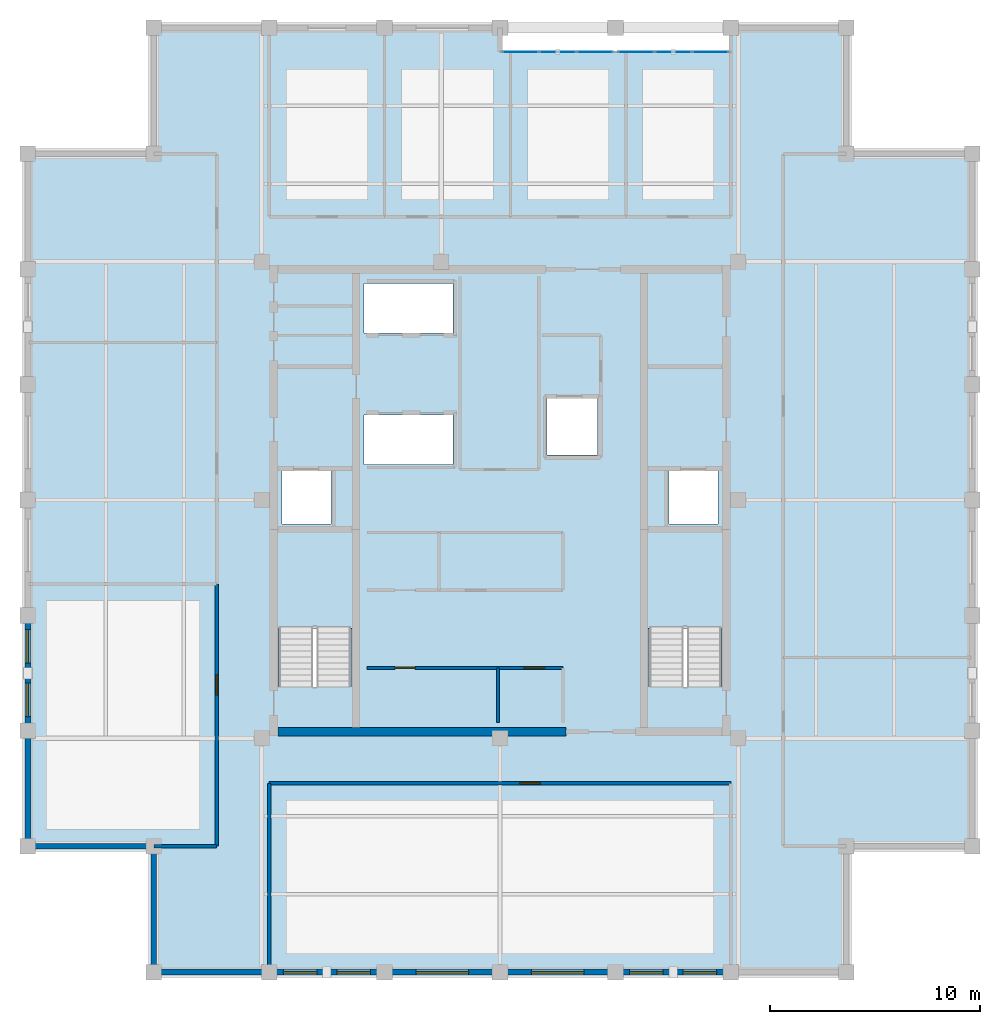
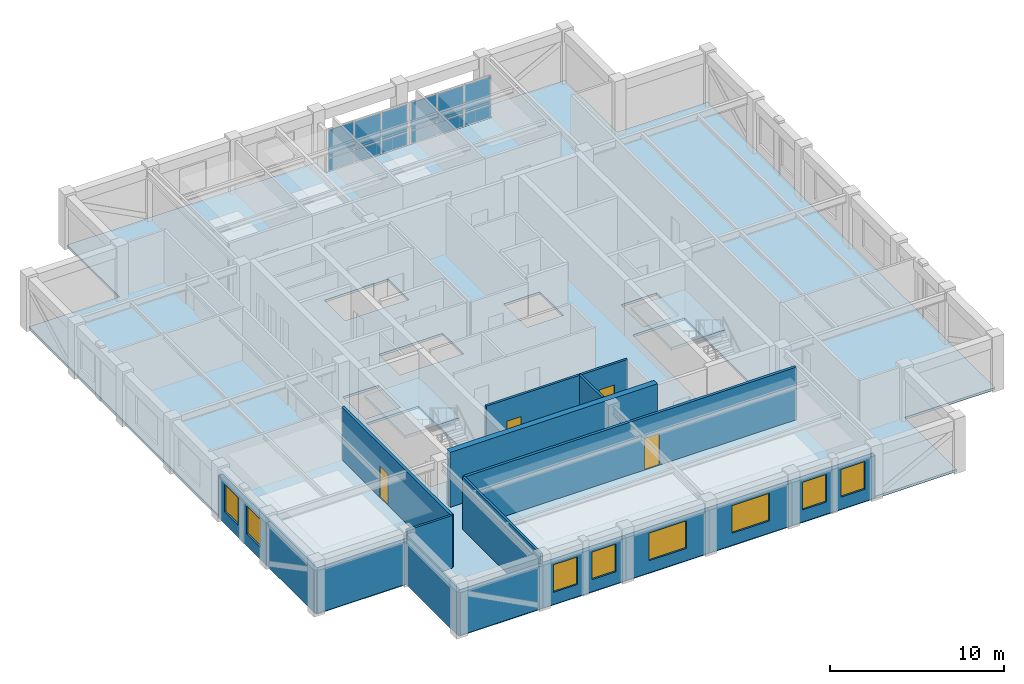
# One storey, part 3 of 9: 16 walls, 12 plates, 8 windows, 4 doors, 3 slabs, 12 openings, 4 elements without a shape of their own.
"""IFC4 building model written with IfcOpenShell, lengths in metres."""

from ifc_helpers import new_model, si_unit, direction, frame, frame_2d, origin, origin_2d, place, context, subcontext, project, spatial, polyline, rectangle, outline, extrude, material, layer, layer_set, type_object, element, fill, aggregate, save


model = new_model("IFC4")

# Units and contexts
model_context = context("Model", 3, precision=1e-05, world=origin(), true_north=direction((0.0, 1.0)))
body_context = subcontext(model_context, "Body", "Model", "MODEL_VIEW")
ifc_project = project(units=[si_unit("LENGTHUNIT", "METRE"), si_unit("AREAUNIT", "SQUARE_METRE"), si_unit("VOLUMEUNIT", "CUBIC_METRE"), si_unit("PLANEANGLEUNIT", "RADIAN"), si_unit("MASSUNIT", "GRAM", prefix="KILO")], contexts=[model_context])

# Site, building, storey
site_placement = place(None, origin())
site = spatial("IfcSite", under=ifc_project, at=site_placement, CompositionType="ELEMENT")
building_placement = place(site_placement, origin())
building = spatial("IfcBuilding", under=site, at=building_placement, Name="Nhamokura Convention Tower", CompositionType="ELEMENT")
storey_placement = place(building_placement, frame((0.0, 0.0, 273.699951171875)))
storey = spatial("IfcBuildingStorey", under=building, at=storey_placement, Name="L67", CompositionType="ELEMENT", Elevation=273.699951171875)

# Curtain wall, plates
ifc_material_1 = material(Name="Anodised bronze aluminium AA6063-T6", Category="aluminium")
ifc_layer_1 = layer(ifc_material_1, 0.155029296875)
ifc_layer_set_1 = layer_set([ifc_layer_1], Name="CWSystem_ScaleSlot_Zone3")
curtain_wall_type = type_object("IfcCurtainWallType", Name="CWSystem_ScaleSlot_Zone3", PredefinedType="NOTDEFINED", material=ifc_layer_set_1)
curtain_wall_1_placement = place(storey_placement, origin())
curtain_wall_1 = element("IfcCurtainWall", 1, at=curtain_wall_1_placement, inside=storey, type_object=curtain_wall_type, Name="L67 Curtain Wall ENV-L67-SLOT-N3", PredefinedType="NOTDEFINED")
ifc_material_2 = material(Name="Solar-control bronze low-E double glass", Category="glass")
ifc_layer_2 = layer(ifc_material_2, 0.0400390625)
ifc_layer_set_2 = layer_set([ifc_layer_2], Name="CWGlazedPanel_3")
plate_type = type_object("IfcPlateType", Name="CWGlazedPanel_3", PredefinedType="CURTAIN_PANEL", material=ifc_layer_set_2)
plate_1_placement = place(storey_placement, frame((32.972900390625, 53.35009765625, 0.06494140625), z_axis=(0.0, 0.0, 1.0), x_axis=(1.0, 0.0, 0.0)))
plate_1 = element("IfcPlate", 2, at=plate_1_placement, type_object=plate_type, Name="CW-05 panel 1.1", PredefinedType="CURTAIN_PANEL", context=body_context, shape_type="SweptSolid", body=[
    extrude(rectangle(XDim=1.69580078125, YDim=0.0400390625, at=origin_2d()), origin(), (0.0, 0.0, 1.0), 0.8525390625),
])
plate_2_placement = place(storey_placement, frame((32.972900390625, 53.35009765625, 0.982666015625), z_axis=(0.0, 0.0, 1.0), x_axis=(1.0, 0.0, 0.0)))
plate_2 = element("IfcPlate", 3, at=plate_2_placement, type_object=plate_type, Name="CW-05 panel 1.2", PredefinedType="CURTAIN_PANEL", context=body_context, shape_type="SweptSolid", body=[
    extrude(rectangle(XDim=1.69580078125, YDim=0.0400390625, at=origin_2d()), origin(), (0.0, 0.0, 1.0), 1.9375),
])
plate_3_placement = place(storey_placement, frame((34.75, 53.35009765625, 0.06494140625), z_axis=(0.0, 0.0, 1.0), x_axis=(1.0, 0.0, 0.0)))
plate_3 = element("IfcPlate", 4, at=plate_3_placement, type_object=plate_type, Name="CW-05 panel 2.1", PredefinedType="CURTAIN_PANEL", context=body_context, shape_type="SweptSolid", body=[
    extrude(rectangle(XDim=1.728271484375, YDim=0.0400390625, at=origin_2d()), origin(), (0.0, 0.0, 1.0), 0.8525390625),
])
plate_4_placement = place(storey_placement, frame((34.75, 53.35009765625, 0.982666015625), z_axis=(0.0, 0.0, 1.0), x_axis=(1.0, 0.0, 0.0)))
plate_4 = element("IfcPlate", 5, at=plate_4_placement, type_object=plate_type, Name="CW-05 panel 2.2", PredefinedType="CURTAIN_PANEL", context=body_context, shape_type="SweptSolid", body=[
    extrude(rectangle(XDim=1.728271484375, YDim=0.0400390625, at=origin_2d()), origin(), (0.0, 0.0, 1.0), 1.9375),
])
plate_5_placement = place(storey_placement, frame((36.527099609375, 53.35009765625, 0.06494140625), z_axis=(0.0, 0.0, 1.0), x_axis=(1.0, 0.0, 0.0)))
plate_5 = element("IfcPlate", 6, at=plate_5_placement, type_object=plate_type, Name="CW-05 panel 3.1", PredefinedType="CURTAIN_PANEL", context=body_context, shape_type="SweptSolid", body=[
    extrude(rectangle(XDim=1.69580078125, YDim=0.0400390625, at=origin_2d()), origin(), (0.0, 0.0, 1.0), 0.8525390625),
])
plate_6_placement = place(storey_placement, frame((36.527099609375, 53.35009765625, 0.982666015625), z_axis=(0.0, 0.0, 1.0), x_axis=(1.0, 0.0, 0.0)))
plate_6 = element("IfcPlate", 7, at=plate_6_placement, type_object=plate_type, Name="CW-05 panel 3.2", PredefinedType="CURTAIN_PANEL", context=body_context, shape_type="SweptSolid", body=[
    extrude(rectangle(XDim=1.69580078125, YDim=0.0400390625, at=origin_2d()), origin(), (0.0, 0.0, 1.0), 1.9375),
])
aggregate(curtain_wall_1, [plate_1, plate_2, plate_3, plate_4, plate_5, plate_6])

curtain_wall_2_placement = place(storey_placement, origin())
curtain_wall_2 = element("IfcCurtainWall", 8, at=curtain_wall_2_placement, inside=storey, type_object=curtain_wall_type, Name="L67 Curtain Wall ENV-L67-SLOT-N4", PredefinedType="NOTDEFINED")
plate_7_placement = place(storey_placement, frame((38.472900390625, 53.35009765625, 0.06494140625), z_axis=(0.0, 0.0, 1.0), x_axis=(1.0, 0.0, 0.0)))
plate_7 = element("IfcPlate", 9, at=plate_7_placement, type_object=plate_type, Name="CW-05 panel 1.1", PredefinedType="CURTAIN_PANEL", context=body_context, shape_type="SweptSolid", body=[
    extrude(rectangle(XDim=1.69580078125, YDim=0.0400390625, at=origin_2d()), origin(), (0.0, 0.0, 1.0), 0.8525390625),
])
plate_8_placement = place(storey_placement, frame((38.472900390625, 53.35009765625, 0.982666015625), z_axis=(0.0, 0.0, 1.0), x_axis=(1.0, 0.0, 0.0)))
plate_8 = element("IfcPlate", 10, at=plate_8_placement, type_object=plate_type, Name="CW-05 panel 1.2", PredefinedType="CURTAIN_PANEL", context=body_context, shape_type="SweptSolid", body=[
    extrude(rectangle(XDim=1.69580078125, YDim=0.0400390625, at=origin_2d()), origin(), (0.0, 0.0, 1.0), 1.9375),
])
plate_9_placement = place(storey_placement, frame((40.25, 53.35009765625, 0.06494140625), z_axis=(0.0, 0.0, 1.0), x_axis=(1.0, 0.0, 0.0)))
plate_9 = element("IfcPlate", 11, at=plate_9_placement, type_object=plate_type, Name="CW-05 panel 2.1", PredefinedType="CURTAIN_PANEL", context=body_context, shape_type="SweptSolid", body=[
    extrude(rectangle(XDim=1.728271484375, YDim=0.0400390625, at=origin_2d()), origin(), (0.0, 0.0, 1.0), 0.8525390625),
])
plate_10_placement = place(storey_placement, frame((40.25, 53.35009765625, 0.982666015625), z_axis=(0.0, 0.0, 1.0), x_axis=(1.0, 0.0, 0.0)))
plate_10 = element("IfcPlate", 12, at=plate_10_placement, type_object=plate_type, Name="CW-05 panel 2.2", PredefinedType="CURTAIN_PANEL", context=body_context, shape_type="SweptSolid", body=[
    extrude(rectangle(XDim=1.728271484375, YDim=0.0400390625, at=origin_2d()), origin(), (0.0, 0.0, 1.0), 1.9375),
])
plate_11_placement = place(storey_placement, frame((42.027099609375, 53.35009765625, 0.06494140625), z_axis=(0.0, 0.0, 1.0), x_axis=(1.0, 0.0, 0.0)))
plate_11 = element("IfcPlate", 13, at=plate_11_placement, type_object=plate_type, Name="CW-05 panel 3.1", PredefinedType="CURTAIN_PANEL", context=body_context, shape_type="SweptSolid", body=[
    extrude(rectangle(XDim=1.69580078125, YDim=0.0400390625, at=origin_2d()), origin(), (0.0, 0.0, 1.0), 0.8525390625),
])
plate_12_placement = place(storey_placement, frame((42.027099609375, 53.35009765625, 0.982666015625), z_axis=(0.0, 0.0, 1.0), x_axis=(1.0, 0.0, 0.0)))
plate_12 = element("IfcPlate", 14, at=plate_12_placement, type_object=plate_type, Name="CW-05 panel 3.2", PredefinedType="CURTAIN_PANEL", context=body_context, shape_type="SweptSolid", body=[
    extrude(rectangle(XDim=1.69580078125, YDim=0.0400390625, at=origin_2d()), origin(), (0.0, 0.0, 1.0), 1.9375),
])
aggregate(curtain_wall_2, [plate_7, plate_8, plate_9, plate_10, plate_11, plate_12])

# Slab
ifc_material_3 = material(Name="Concrete C40/50", Category="concrete")
ifc_layer_3 = layer(ifc_material_3, 0.1650390625)
ifc_layer_set_3 = layer_set([ifc_layer_3], Name="OfficeFloorSlab_165")
slab_type_1 = type_object("IfcSlabType", Name="OfficeFloorSlab_165", PredefinedType="FLOOR", material=ifc_layer_set_3)
slab_1_placement = place(storey_placement, frame((0.0, 0.0, -0.1650390625)))
element("IfcSlab", 15, at=slab_1_placement, inside=storey, type_object=slab_type_1, Name="L67 Structural Floor Slab", PredefinedType="FLOOR", context=body_context, shape_type="SweptSolid", body=[
    extrude(outline(polyline([(15.5, 9.5), (48.5, 9.5), (48.5, 15.5), (54.5, 15.5), (54.5, 48.5), (48.5, 48.5), (48.5, 54.5), (43.0, 54.5), (43.0, 53.35009765625), (32.0, 53.35009765625), (32.0, 54.5), (15.5, 54.5), (15.5, 48.5), (9.5, 48.5), (9.5, 15.5), (15.5, 15.5), (15.5, 9.5)]), holes=[polyline([(24.89990234375, 23.10009765625), (24.89990234375, 30.449951171875), (21.449951171875, 30.449951171875), (21.449951171875, 23.10009765625), (24.89990234375, 23.10009765625)]), polyline([(42.550048828125, 23.10009765625), (42.550048828125, 30.449951171875), (39.10009765625, 30.449951171875), (39.10009765625, 23.10009765625), (42.550048828125, 23.10009765625)]), polyline([(21.60009765625, 30.85009765625), (23.949951171875, 30.85009765625), (23.949951171875, 33.39990234375), (21.60009765625, 33.39990234375), (21.60009765625, 30.85009765625)]), polyline([(40.050048828125, 30.85009765625), (42.39990234375, 30.85009765625), (42.39990234375, 33.39990234375), (40.050048828125, 33.39990234375), (40.050048828125, 30.85009765625)]), polyline([(34.25, 34.14990234375), (36.64990234375, 34.14990234375), (36.64990234375, 36.85009765625), (34.25, 36.85009765625), (34.25, 34.14990234375)]), polyline([(25.52001953125, 33.679931640625), (29.75, 33.679931640625), (29.75, 36.050048828125), (25.52001953125, 36.050048828125), (25.52001953125, 33.679931640625)]), polyline([(25.52001953125, 39.949951171875), (29.75, 39.949951171875), (29.75, 42.320068359375), (25.52001953125, 42.320068359375), (25.52001953125, 39.949951171875)])]), origin(), (0.0, 0.0, 1.0), 0.1650390625),
])

# Stair, slab
ifc_material_4 = material(Name="Concrete C40/50", Category="concrete")
stair_type = type_object("IfcStairType", Name="TowerCoreStair_1650", PredefinedType="HALF_TURN_STAIR", material=ifc_material_4)
stair_1_placement = place(storey_placement, origin())
stair_1 = element("IfcStair", 16, at=stair_1_placement, inside=storey, type_object=stair_type, Name="L67 West Core Smokeproof Stair ST-01", PredefinedType="HALF_TURN_STAIR")
ifc_material_5 = material(Name="Concrete C40/50", Category="concrete")
ifc_layer_4 = layer(ifc_material_5, 0.199951171875)
ifc_layer_set_4 = layer_set([ifc_layer_4], Name="StairLandingSlab_200")
slab_type_2 = type_object("IfcSlabType", Name="StairLandingSlab_200", PredefinedType="LANDING", material=ifc_layer_set_4)
slab_2_placement = place(storey_placement, frame((0.0, 0.0, 1.72509765625)))
slab_2 = element("IfcSlab", 17, at=slab_2_placement, type_object=slab_type_2, Name="ST-01 landing 1", PredefinedType="LANDING", context=body_context, shape_type="SweptSolid", body=[
    extrude(outline(polyline([(24.97998046875, 25.8701171875), (24.97998046875, 30.530029296875), (21.3701171875, 30.530029296875), (21.3701171875, 25.8701171875), (24.97998046875, 25.8701171875)])), origin(), (0.0, 0.0, 1.0), 0.199951171875),
])
aggregate(stair_1, [slab_2])

stair_2_placement = place(storey_placement, origin())
stair_2 = element("IfcStair", 18, at=stair_2_placement, inside=storey, type_object=stair_type, Name="L67 East Core Smokeproof Stair ST-02", PredefinedType="HALF_TURN_STAIR")
slab_3_placement = place(storey_placement, frame((0.0, 0.0, 1.72509765625)))
slab_3 = element("IfcSlab", 19, at=slab_3_placement, type_object=slab_type_2, Name="ST-02 landing 1", PredefinedType="LANDING", context=body_context, shape_type="SweptSolid", body=[
    extrude(outline(polyline([(42.6298828125, 25.8701171875), (42.6298828125, 30.530029296875), (39.02001953125, 30.530029296875), (39.02001953125, 25.8701171875), (42.6298828125, 25.8701171875)])), origin(), (0.0, 0.0, 1.0), 0.199951171875),
])
aggregate(stair_2, [slab_3])

# Wall
ifc_material_6 = material(Name="Bronze-pigmented precast concrete C45/55", Category="concrete")
ifc_layer_5 = layer(ifc_material_6, 0.280029296875)
ifc_layer_set_5 = layer_set([ifc_layer_5], Name="BronzePrecastSpandrel_280")
wall_type_1 = type_object("IfcWallType", Name="BronzePrecastSpandrel_280", PredefinedType="USERDEFINED", material=ifc_layer_set_5)
wall_1_placement = place(storey_placement, frame((21.0, 9.5, 0.0), z_axis=(0.0, 0.0, 1.0), x_axis=(-1.0, 0.0, 0.0)))
element("IfcWall", 20, at=wall_1_placement, inside=storey, type_object=wall_type_1, Name="L67 Braced-Bay Precast Wall SOUTH 0", ObjectType="SPANDREL_WALL", PredefinedType="USERDEFINED", context=body_context, shape_type="SweptSolid", body=[
    extrude(rectangle(XDim=5.5, YDim=0.280029296875, at=frame_2d((2.75, 0.0))), origin(), (0.0, 0.0, 1.0), 2.985107421875),
])

# Wall, openings, windows
wall_2_placement = place(storey_placement, frame((26.5, 9.5, 0.0), z_axis=(0.0, 0.0, 1.0), x_axis=(-1.0, 0.0, 0.0)))
wall_2 = element("IfcWall", 21, at=wall_2_placement, inside=storey, type_object=wall_type_1, Name="L67 Masonry-Frame Wall SOUTH 1", ObjectType="SPANDREL_WALL", PredefinedType="USERDEFINED", context=body_context, shape_type="SweptSolid", body=[
    extrude(rectangle(XDim=5.5, YDim=0.280029296875, at=frame_2d((2.75, 0.0))), origin(), (0.0, 0.0, 1.0), 2.985107421875),
])
opening_1_placement = place(wall_2_placement, frame((0.675048828125, 0.0, 0.85009765625)))
opening_1 = element("IfcOpeningElement", 22, at=opening_1_placement, cuts=wall_2, Name="Opening W-11", PredefinedType="OPENING", context=body_context, shape_type="SweptSolid", body=[
    extrude(rectangle(XDim=1.60009765625, YDim=1.93505859375, at=frame_2d((0.800048828125, 0.967529296875))), frame((0.0, 0.14990234375, 0.0), z_axis=(0.0, -1.0, 0.0), x_axis=(1.0, 0.0, 0.0)), (0.0, 0.0, 1.0), 0.300048828125),
])
opening_2_placement = place(wall_2_placement, frame((3.22509765625, 0.0, 0.85009765625)))
opening_2 = element("IfcOpeningElement", 23, at=opening_2_placement, cuts=wall_2, Name="Opening W-11", PredefinedType="OPENING", context=body_context, shape_type="SweptSolid", body=[
    extrude(rectangle(XDim=1.60009765625, YDim=1.93505859375, at=frame_2d((0.800048828125, 0.967529296875))), frame((0.0, 0.14990234375, 0.0), z_axis=(0.0, -1.0, 0.0), x_axis=(1.0, 0.0, 0.0)), (0.0, 0.0, 1.0), 0.300048828125),
])
ifc_material_7 = material(Name="Solar-control bronze low-E double glass", Category="glass")
window_type_1 = type_object("IfcWindowType", Name="NotchCornerWindow_1600", PartitioningType="SINGLE_PANEL", PredefinedType="WINDOW", material=ifc_material_7)
window_1_placement = place(opening_1_placement, origin())
window_1 = element("IfcWindow", 24, at=window_1_placement, inside=storey, type_object=window_type_1, Name="L67 Facade Window SOUTH 1-1", OverallHeight=1.93505859375, OverallWidth=1.60009765625, PartitioningType="SINGLE_PANEL", PredefinedType="WINDOW", context=body_context, shape_type="SweptSolid", body=[
    extrude(rectangle(XDim=1.60009765625, YDim=1.93505859375, at=frame_2d((0.800048828125, 0.967529296875))), frame((0.0, 0.030029296875, 0.0), z_axis=(0.0, -1.0, 0.0), x_axis=(1.0, 0.0, 0.0)), (0.0, 0.0, 1.0), 0.06005859375),
])
fill(opening_1, window_1)
window_2_placement = place(opening_2_placement, origin())
window_2 = element("IfcWindow", 25, at=window_2_placement, inside=storey, type_object=window_type_1, Name="L67 Facade Window SOUTH 1-2", OverallHeight=1.93505859375, OverallWidth=1.60009765625, PartitioningType="SINGLE_PANEL", PredefinedType="WINDOW", context=body_context, shape_type="SweptSolid", body=[
    extrude(rectangle(XDim=1.60009765625, YDim=1.93505859375, at=frame_2d((0.800048828125, 0.967529296875))), frame((0.0, 0.030029296875, 0.0), z_axis=(0.0, -1.0, 0.0), x_axis=(1.0, 0.0, 0.0)), (0.0, 0.0, 1.0), 0.06005859375),
])
fill(opening_2, window_2)

# Wall, opening, window
wall_3_placement = place(storey_placement, frame((32.0, 9.5, 0.0), z_axis=(0.0, 0.0, 1.0), x_axis=(-1.0, 0.0, 0.0)))
wall_3 = element("IfcWall", 26, at=wall_3_placement, inside=storey, type_object=wall_type_1, Name="L67 Masonry-Frame Wall SOUTH 2", ObjectType="SPANDREL_WALL", PredefinedType="USERDEFINED", context=body_context, shape_type="SweptSolid", body=[
    extrude(rectangle(XDim=5.5, YDim=0.280029296875, at=frame_2d((2.75, 0.0))), origin(), (0.0, 0.0, 1.0), 2.985107421875),
])
opening_3_placement = place(wall_3_placement, frame((1.5, 0.0, 0.85009765625)))
opening_3 = element("IfcOpeningElement", 27, at=opening_3_placement, cuts=wall_3, Name="Opening W-09", PredefinedType="OPENING", context=body_context, shape_type="SweptSolid", body=[
    extrude(rectangle(XDim=2.5, YDim=1.93505859375, at=frame_2d((1.25, 0.967529296875))), frame((0.0, 0.14990234375, 0.0), z_axis=(0.0, -1.0, 0.0), x_axis=(1.0, 0.0, 0.0)), (0.0, 0.0, 1.0), 0.300048828125),
])
ifc_material_8 = material(Name="Solar-control bronze low-E double glass", Category="glass")
window_type_2 = type_object("IfcWindowType", Name="SummitWindow_Z4_2500", PartitioningType="DOUBLE_PANEL_VERTICAL", PredefinedType="WINDOW", material=ifc_material_8)
window_3_placement = place(opening_3_placement, origin())
window_3 = element("IfcWindow", 28, at=window_3_placement, inside=storey, type_object=window_type_2, Name="L67 Facade Window SOUTH 2", OverallHeight=1.93505859375, OverallWidth=2.5, PartitioningType="SINGLE_PANEL", PredefinedType="WINDOW", context=body_context, shape_type="SweptSolid", body=[
    extrude(rectangle(XDim=2.5, YDim=1.93505859375, at=frame_2d((1.25, 0.967529296875))), frame((0.0, 0.030029296875, 0.0), z_axis=(0.0, -1.0, 0.0), x_axis=(1.0, 0.0, 0.0)), (0.0, 0.0, 1.0), 0.06005859375),
])
fill(opening_3, window_3)

wall_4_placement = place(storey_placement, frame((37.5, 9.5, 0.0), z_axis=(0.0, 0.0, 1.0), x_axis=(-1.0, 0.0, 0.0)))
wall_4 = element("IfcWall", 29, at=wall_4_placement, inside=storey, type_object=wall_type_1, Name="L67 Masonry-Frame Wall SOUTH 3", ObjectType="SPANDREL_WALL", PredefinedType="USERDEFINED", context=body_context, shape_type="SweptSolid", body=[
    extrude(rectangle(XDim=5.5, YDim=0.280029296875, at=frame_2d((2.75, 0.0))), origin(), (0.0, 0.0, 1.0), 2.985107421875),
])
opening_4_placement = place(wall_4_placement, frame((1.5, 0.0, 0.85009765625)))
opening_4 = element("IfcOpeningElement", 30, at=opening_4_placement, cuts=wall_4, Name="Opening W-09", PredefinedType="OPENING", context=body_context, shape_type="SweptSolid", body=[
    extrude(rectangle(XDim=2.5, YDim=1.93505859375, at=frame_2d((1.25, 0.967529296875))), frame((0.0, 0.14990234375, 0.0), z_axis=(0.0, -1.0, 0.0), x_axis=(1.0, 0.0, 0.0)), (0.0, 0.0, 1.0), 0.300048828125),
])
window_4_placement = place(opening_4_placement, origin())
window_4 = element("IfcWindow", 31, at=window_4_placement, inside=storey, type_object=window_type_2, Name="L67 Facade Window SOUTH 3", OverallHeight=1.93505859375, OverallWidth=2.5, PartitioningType="SINGLE_PANEL", PredefinedType="WINDOW", context=body_context, shape_type="SweptSolid", body=[
    extrude(rectangle(XDim=2.5, YDim=1.93505859375, at=frame_2d((1.25, 0.967529296875))), frame((0.0, 0.030029296875, 0.0), z_axis=(0.0, -1.0, 0.0), x_axis=(1.0, 0.0, 0.0)), (0.0, 0.0, 1.0), 0.06005859375),
])
fill(opening_4, window_4)

# Wall, openings, windows
wall_5_placement = place(storey_placement, frame((43.0, 9.5, 0.0), z_axis=(0.0, 0.0, 1.0), x_axis=(-1.0, 0.0, 0.0)))
wall_5 = element("IfcWall", 32, at=wall_5_placement, inside=storey, type_object=wall_type_1, Name="L67 Masonry-Frame Wall SOUTH 4", ObjectType="SPANDREL_WALL", PredefinedType="USERDEFINED", context=body_context, shape_type="SweptSolid", body=[
    extrude(rectangle(XDim=5.5, YDim=0.280029296875, at=frame_2d((2.75, 0.0))), origin(), (0.0, 0.0, 1.0), 2.985107421875),
])
opening_5_placement = place(wall_5_placement, frame((0.675048828125, 0.0, 0.85009765625)))
opening_5 = element("IfcOpeningElement", 33, at=opening_5_placement, cuts=wall_5, Name="Opening W-11", PredefinedType="OPENING", context=body_context, shape_type="SweptSolid", body=[
    extrude(rectangle(XDim=1.60009765625, YDim=1.93505859375, at=frame_2d((0.800048828125, 0.967529296875))), frame((0.0, 0.14990234375, 0.0), z_axis=(0.0, -1.0, 0.0), x_axis=(1.0, 0.0, 0.0)), (0.0, 0.0, 1.0), 0.300048828125),
])
opening_6_placement = place(wall_5_placement, frame((3.22509765625, 0.0, 0.85009765625)))
opening_6 = element("IfcOpeningElement", 34, at=opening_6_placement, cuts=wall_5, Name="Opening W-11", PredefinedType="OPENING", context=body_context, shape_type="SweptSolid", body=[
    extrude(rectangle(XDim=1.60009765625, YDim=1.93505859375, at=frame_2d((0.800048828125, 0.967529296875))), frame((0.0, 0.14990234375, 0.0), z_axis=(0.0, -1.0, 0.0), x_axis=(1.0, 0.0, 0.0)), (0.0, 0.0, 1.0), 0.300048828125),
])
window_5_placement = place(opening_5_placement, origin())
window_5 = element("IfcWindow", 35, at=window_5_placement, inside=storey, type_object=window_type_1, Name="L67 Facade Window SOUTH 4-1", OverallHeight=1.93505859375, OverallWidth=1.60009765625, PartitioningType="SINGLE_PANEL", PredefinedType="WINDOW", context=body_context, shape_type="SweptSolid", body=[
    extrude(rectangle(XDim=1.60009765625, YDim=1.93505859375, at=frame_2d((0.800048828125, 0.967529296875))), frame((0.0, 0.030029296875, 0.0), z_axis=(0.0, -1.0, 0.0), x_axis=(1.0, 0.0, 0.0)), (0.0, 0.0, 1.0), 0.06005859375),
])
fill(opening_5, window_5)
window_6_placement = place(opening_6_placement, origin())
window_6 = element("IfcWindow", 36, at=window_6_placement, inside=storey, type_object=window_type_1, Name="L67 Facade Window SOUTH 4-2", OverallHeight=1.93505859375, OverallWidth=1.60009765625, PartitioningType="SINGLE_PANEL", PredefinedType="WINDOW", context=body_context, shape_type="SweptSolid", body=[
    extrude(rectangle(XDim=1.60009765625, YDim=1.93505859375, at=frame_2d((0.800048828125, 0.967529296875))), frame((0.0, 0.030029296875, 0.0), z_axis=(0.0, -1.0, 0.0), x_axis=(1.0, 0.0, 0.0)), (0.0, 0.0, 1.0), 0.06005859375),
])
fill(opening_6, window_6)

# Wall
wall_6_placement = place(storey_placement, frame((9.5, 15.5, 0.0), z_axis=(0.0, 0.0, 1.0), x_axis=(0.0, 1.0, 0.0)))
element("IfcWall", 37, at=wall_6_placement, inside=storey, type_object=wall_type_1, Name="L67 Braced-Bay Precast Wall WEST 0", ObjectType="SPANDREL_WALL", PredefinedType="USERDEFINED", context=body_context, shape_type="SweptSolid", body=[
    extrude(rectangle(XDim=5.5, YDim=0.280029296875, at=frame_2d((2.75, 0.0))), origin(), (0.0, 0.0, 1.0), 2.985107421875),
])

# Wall, openings, windows
wall_7_placement = place(storey_placement, frame((9.5, 21.0, 0.0), z_axis=(0.0, 0.0, 1.0), x_axis=(0.0, 1.0, 0.0)))
wall_7 = element("IfcWall", 38, at=wall_7_placement, inside=storey, type_object=wall_type_1, Name="L67 Masonry-Frame Wall WEST 1", ObjectType="SPANDREL_WALL", PredefinedType="USERDEFINED", context=body_context, shape_type="SweptSolid", body=[
    extrude(rectangle(XDim=5.5, YDim=0.280029296875, at=frame_2d((2.75, 0.0))), origin(), (0.0, 0.0, 1.0), 2.985107421875),
])
opening_7_placement = place(wall_7_placement, frame((0.675048828125, 0.0, 0.85009765625)))
opening_7 = element("IfcOpeningElement", 39, at=opening_7_placement, cuts=wall_7, Name="Opening W-11", PredefinedType="OPENING", context=body_context, shape_type="SweptSolid", body=[
    extrude(rectangle(XDim=1.60009765625, YDim=1.93505859375, at=frame_2d((0.800048828125, 0.967529296875))), frame((0.0, 0.14990234375, 0.0), z_axis=(0.0, -1.0, 0.0), x_axis=(1.0, 0.0, 0.0)), (0.0, 0.0, 1.0), 0.300048828125),
])
opening_8_placement = place(wall_7_placement, frame((3.22509765625, 0.0, 0.85009765625)))
opening_8 = element("IfcOpeningElement", 40, at=opening_8_placement, cuts=wall_7, Name="Opening W-11", PredefinedType="OPENING", context=body_context, shape_type="SweptSolid", body=[
    extrude(rectangle(XDim=1.60009765625, YDim=1.93505859375, at=frame_2d((0.800048828125, 0.967529296875))), frame((0.0, 0.14990234375, 0.0), z_axis=(0.0, -1.0, 0.0), x_axis=(1.0, 0.0, 0.0)), (0.0, 0.0, 1.0), 0.300048828125),
])
window_7_placement = place(opening_7_placement, origin())
window_7 = element("IfcWindow", 41, at=window_7_placement, inside=storey, type_object=window_type_1, Name="L67 Facade Window WEST 1-1", OverallHeight=1.93505859375, OverallWidth=1.60009765625, PartitioningType="SINGLE_PANEL", PredefinedType="WINDOW", context=body_context, shape_type="SweptSolid", body=[
    extrude(rectangle(XDim=1.60009765625, YDim=1.93505859375, at=frame_2d((0.800048828125, 0.967529296875))), frame((0.0, 0.030029296875, 0.0), z_axis=(0.0, -1.0, 0.0), x_axis=(1.0, 0.0, 0.0)), (0.0, 0.0, 1.0), 0.06005859375),
])
fill(opening_7, window_7)
window_8_placement = place(opening_8_placement, origin())
window_8 = element("IfcWindow", 42, at=window_8_placement, inside=storey, type_object=window_type_1, Name="L67 Facade Window WEST 1-2", OverallHeight=1.93505859375, OverallWidth=1.60009765625, PartitioningType="SINGLE_PANEL", PredefinedType="WINDOW", context=body_context, shape_type="SweptSolid", body=[
    extrude(rectangle(XDim=1.60009765625, YDim=1.93505859375, at=frame_2d((0.800048828125, 0.967529296875))), frame((0.0, 0.030029296875, 0.0), z_axis=(0.0, -1.0, 0.0), x_axis=(1.0, 0.0, 0.0)), (0.0, 0.0, 1.0), 0.06005859375),
])
fill(opening_8, window_8)

# Walls
for number, where, z_axis, x_axis, name in (
    (43, (15.5, 9.5, 0.0), (0.0, 0.0, 1.0), (0.0, 1.0, 0.0), "L67 Notched Corner Wall SW1"),
    (44, (15.5, 15.5, 0.0), (0.0, 0.0, 1.0), (-1.0, 0.0, 0.0), "L67 Notched Corner Wall SW2"),
):
    element("IfcWall", number, at=place(storey_placement, frame(where, z_axis=z_axis, x_axis=x_axis)), inside=storey, type_object=wall_type_1, Name=name, ObjectType="SPANDREL_WALL", PredefinedType="USERDEFINED", context=body_context, shape_type="SweptSolid", body=[
        extrude(rectangle(XDim=6.0, YDim=0.280029296875, at=frame_2d((3.0, 0.0))), origin(), (0.0, 0.0, 1.0), 2.985107421875),
    ])
ifc_material_9 = material(Name="Concrete C50/60", Category="concrete")
ifc_layer_6 = layer(ifc_material_9, 0.39990234375)
ifc_layer_set_6 = layer_set([ifc_layer_6], Name="CoreShearWall_400")
wall_type_2 = type_object("IfcWallType", Name="CoreShearWall_400", PredefinedType="SHEAR", material=ifc_layer_set_6)
wall_8_placement = place(storey_placement, frame((21.409912109375, 20.949951171875, 0.0), z_axis=(0.0, 0.0, 1.0), x_axis=(1.0, 0.0, 0.0)))
element("IfcWall", 45, at=wall_8_placement, inside=storey, type_object=wall_type_2, Name="L67 Core Shear Wall CW-S1", PredefinedType="SHEAR", context=body_context, shape_type="SweptSolid", body=[
    extrude(rectangle(XDim=13.739990234375, YDim=0.39990234375, at=frame_2d((6.8701171875, 0.0))), origin(), (0.0, 0.0, 1.0), 3.85009765625),
])

# Wall, opening, door
ifc_material_10 = material(Name="Fire-rated gypsum and masonry partition", Category="masonry")
ifc_layer_7 = layer(ifc_material_10, 0.179931640625)
ifc_layer_set_7 = layer_set([ifc_layer_7], Name="CorridorRatedWall_180")
wall_type_3 = type_object("IfcWallType", Name="CorridorRatedWall_180", PredefinedType="STANDARD", material=ifc_layer_set_7)
wall_9_placement = place(storey_placement, frame((21.0, 18.5, 0.0), z_axis=(0.0, 0.0, 1.0), x_axis=(1.0, 0.0, 0.0)))
wall_9 = element("IfcWall", 46, at=wall_9_placement, inside=storey, type_object=wall_type_3, Name="L67 Wall INT-L67-CW-S00", PredefinedType="STANDARD", context=body_context, shape_type="SweptSolid", body=[
    extrude(rectangle(XDim=22.0, YDim=0.179931640625, at=frame_2d((11.0, 0.0))), origin(), (0.0, 0.0, 1.0), 3.68505859375),
])
opening_9_placement = place(wall_9_placement, frame((11.949951171875, 0.0, 0.0)))
opening_9 = element("IfcOpeningElement", 47, at=opening_9_placement, cuts=wall_9, Name="Opening D-08", PredefinedType="OPENING", context=body_context, shape_type="SweptSolid", body=[
    extrude(rectangle(XDim=0.97998046875, YDim=2.199951171875, at=frame_2d((0.489990234375, 1.10009765625))), frame((0.0, 0.099853515625, 0.0), z_axis=(0.0, -1.0, 0.0), x_axis=(1.0, 0.0, 0.0)), (0.0, 0.0, 1.0), 0.199951171875),
])
ifc_material_11 = material(Name="Solid oak hardwood", Category="wood")
door_type_1 = type_object("IfcDoorType", Name="OfficeEntryDoor_980", OperationType="NOTDEFINED", PredefinedType="DOOR", material=ifc_material_11)
door_1_placement = place(opening_9_placement, origin())
door_1 = element("IfcDoor", 48, at=door_1_placement, inside=storey, type_object=door_type_1, Name="L67 Conference Hall S01 Door", OperationType="SINGLE_SWING_LEFT", OverallHeight=2.199951171875, OverallWidth=0.97998046875, PredefinedType="DOOR", context=body_context, shape_type="SweptSolid", body=[
    extrude(rectangle(XDim=0.97998046875, YDim=2.199951171875, at=frame_2d((0.489990234375, 1.10009765625))), frame((0.0, 0.02490234375, 0.0), z_axis=(0.0, -1.0, 0.0), x_axis=(1.0, 0.0, 0.0)), (0.0, 0.0, 1.0), 0.050048828125),
])
fill(opening_9, door_1)

wall_10_placement = place(storey_placement, frame((18.5, 15.5, 0.0), z_axis=(0.0, 0.0, 1.0), x_axis=(0.0, 1.0, 0.0)))
wall_10 = element("IfcWall", 49, at=wall_10_placement, inside=storey, type_object=wall_type_3, Name="L67 Wall INT-L67-CW-W00", PredefinedType="STANDARD", context=body_context, shape_type="SweptSolid", body=[
    extrude(rectangle(XDim=12.5, YDim=0.179931640625, at=frame_2d((6.25, 0.0))), origin(), (0.0, 0.0, 1.0), 3.68505859375),
])
opening_10_placement = place(wall_10_placement, frame((7.199951171875, 0.0, 0.0)))
opening_10 = element("IfcOpeningElement", 50, at=opening_10_placement, cuts=wall_10, Name="Opening D-08", PredefinedType="OPENING", context=body_context, shape_type="SweptSolid", body=[
    extrude(rectangle(XDim=0.97998046875, YDim=2.199951171875, at=frame_2d((0.489990234375, 1.10009765625))), frame((0.0, 0.099853515625, 0.0), z_axis=(0.0, -1.0, 0.0), x_axis=(1.0, 0.0, 0.0)), (0.0, 0.0, 1.0), 0.199951171875),
])
door_2_placement = place(opening_10_placement, origin())
door_2 = element("IfcDoor", 51, at=door_2_placement, inside=storey, type_object=door_type_1, Name="L67 VIP Lounge W01 Door", OperationType="SINGLE_SWING_LEFT", OverallHeight=2.199951171875, OverallWidth=0.97998046875, PredefinedType="DOOR", context=body_context, shape_type="SweptSolid", body=[
    extrude(rectangle(XDim=0.97998046875, YDim=2.199951171875, at=frame_2d((0.489990234375, 1.10009765625))), frame((0.0, 0.02490234375, 0.0), z_axis=(0.0, -1.0, 0.0), x_axis=(1.0, 0.0, 0.0)), (0.0, 0.0, 1.0), 0.050048828125),
])
fill(opening_10, door_2)

# Wall, openings, doors
ifc_material_12 = material(Name="Acoustic gypsum stud partition", Category="masonry")
ifc_layer_8 = layer(ifc_material_12, 0.14990234375)
ifc_layer_set_8 = layer_set([ifc_layer_8], Name="InteriorPartition_150")
wall_type_4 = type_object("IfcWallType", Name="InteriorPartition_150", PredefinedType="STANDARD", material=ifc_layer_set_8)
wall_11_placement = place(storey_placement, frame((25.64990234375, 24.0, 0.0), z_axis=(0.0, 0.0, 1.0), x_axis=(1.0, 0.0, 0.0)))
wall_11 = element("IfcWall", 52, at=wall_11_placement, inside=storey, type_object=wall_type_4, Name="L67 Wall INT-L67-B1R-N", PredefinedType="STANDARD", context=body_context, shape_type="SweptSolid", body=[
    extrude(rectangle(XDim=9.35009765625, YDim=0.14990234375, at=frame_2d((4.675048828125, 0.0))), origin(), (0.0, 0.0, 1.0), 3.68505859375),
])
opening_11_placement = place(wall_11_placement, frame((1.35009765625, 0.0, 0.0)))
opening_11 = element("IfcOpeningElement", 53, at=opening_11_placement, cuts=wall_11, Name="Opening D-09", PredefinedType="OPENING", context=body_context, shape_type="SweptSolid", body=[
    extrude(rectangle(XDim=0.949951171875, YDim=2.14990234375, at=frame_2d((0.47509765625, 1.074951171875))), frame((0.0, 0.0849609375, 0.0), z_axis=(0.0, -1.0, 0.0), x_axis=(1.0, 0.0, 0.0)), (0.0, 0.0, 1.0), 0.169921875),
])
opening_12_placement = place(wall_11_placement, frame((7.5, 0.0, 0.0)))
opening_12 = element("IfcOpeningElement", 54, at=opening_12_placement, cuts=wall_11, Name="Opening D-08", PredefinedType="OPENING", context=body_context, shape_type="SweptSolid", body=[
    extrude(rectangle(XDim=0.97998046875, YDim=2.199951171875, at=frame_2d((0.489990234375, 1.10009765625))), frame((0.0, 0.0849609375, 0.0), z_axis=(0.0, -1.0, 0.0), x_axis=(1.0, 0.0, 0.0)), (0.0, 0.0, 1.0), 0.169921875),
])
ifc_material_13 = material(Name="Solid oak hardwood", Category="wood")
door_type_2 = type_object("IfcDoorType", Name="MeetingRoomDoor_950", OperationType="NOTDEFINED", PredefinedType="DOOR", material=ifc_material_13)
door_3_placement = place(opening_11_placement, origin())
door_3 = element("IfcDoor", 55, at=door_3_placement, inside=storey, type_object=door_type_2, Name="L67 Reclaimed Briefing Room Door", OperationType="SINGLE_SWING_RIGHT", OverallHeight=2.14990234375, OverallWidth=0.949951171875, PredefinedType="DOOR", context=body_context, shape_type="SweptSolid", body=[
    extrude(rectangle(XDim=0.949951171875, YDim=2.14990234375, at=frame_2d((0.47509765625, 1.074951171875))), frame((0.0, 0.02490234375, 0.0), z_axis=(0.0, -1.0, 0.0), x_axis=(1.0, 0.0, 0.0)), (0.0, 0.0, 1.0), 0.050048828125),
])
fill(opening_11, door_3)
door_4_placement = place(opening_12_placement, origin())
door_4 = element("IfcDoor", 56, at=door_4_placement, inside=storey, type_object=door_type_1, Name="L67 Reclaimed Hub Door", OperationType="SINGLE_SWING_LEFT", OverallHeight=2.199951171875, OverallWidth=0.97998046875, PredefinedType="DOOR", context=body_context, shape_type="SweptSolid", body=[
    extrude(rectangle(XDim=0.97998046875, YDim=2.199951171875, at=frame_2d((0.489990234375, 1.10009765625))), frame((0.0, 0.02490234375, 0.0), z_axis=(0.0, -1.0, 0.0), x_axis=(1.0, 0.0, 0.0)), (0.0, 0.0, 1.0), 0.050048828125),
])
fill(opening_12, door_4)

# Walls
wall_12_placement = place(storey_placement, frame((31.89990234375, 21.39990234375, 0.0), z_axis=(0.0, 0.0, 1.0), x_axis=(0.0, 1.0, 0.0)))
element("IfcWall", 57, at=wall_12_placement, inside=storey, type_object=wall_type_4, Name="L67 Wall INT-L67-B1R-M", PredefinedType="STANDARD", context=body_context, shape_type="SweptSolid", body=[
    extrude(rectangle(XDim=2.60009765625, YDim=0.14990234375, at=frame_2d((1.300048828125, 0.0))), origin(), (0.0, 0.0, 1.0), 3.68505859375),
])
wall_13_placement = place(storey_placement, frame((21.0, 9.56005859375, 0.0), z_axis=(0.0, 0.0, 1.0), x_axis=(0.0, 1.0, 0.0)))
element("IfcWall", 58, at=wall_13_placement, inside=storey, type_object=wall_type_4, Name="L67 Wall INT-L67-RWL-S", PredefinedType="STANDARD", context=body_context, shape_type="SweptSolid", body=[
    extrude(rectangle(XDim=8.93994140625, YDim=0.14990234375, at=frame_2d((4.469970703125, 0.0))), origin(), (0.0, 0.0, 1.0), 3.68505859375),
])
wall_14_placement = place(storey_placement, frame((15.5, 15.5, 0.0), z_axis=(0.0, 0.0, 1.0), x_axis=(1.0, 0.0, 0.0)))
element("IfcWall", 59, at=wall_14_placement, inside=storey, type_object=wall_type_4, Name="L67 Wall INT-L67-VSTP-WS", PredefinedType="STANDARD", context=body_context, shape_type="SweptSolid", body=[
    extrude(rectangle(XDim=3.0, YDim=0.14990234375, at=frame_2d((1.5, 0.0))), origin(), (0.0, 0.0, 1.0), 3.68505859375),
])

save(model, "model.ifc")
